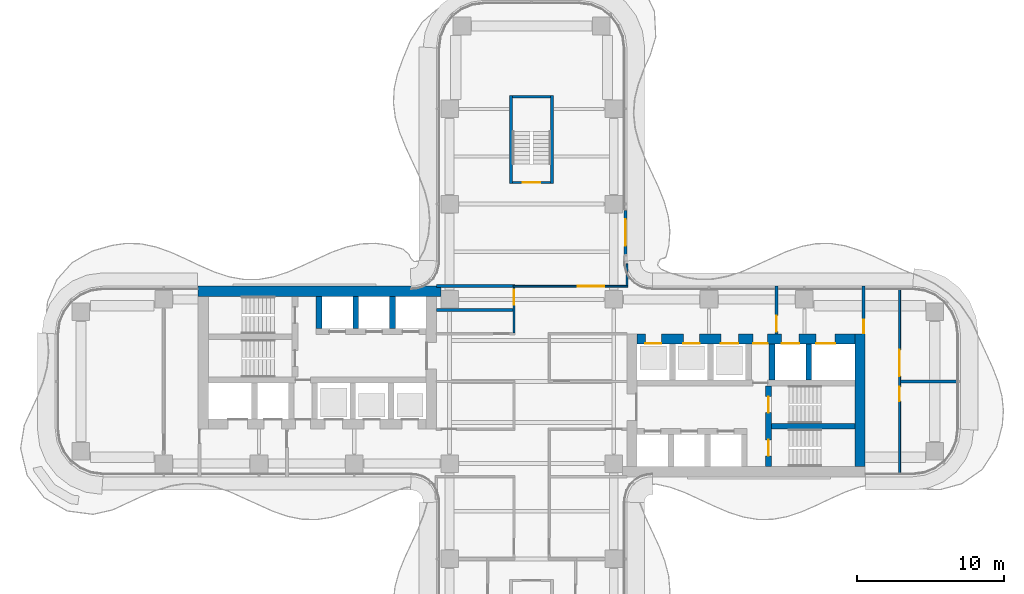
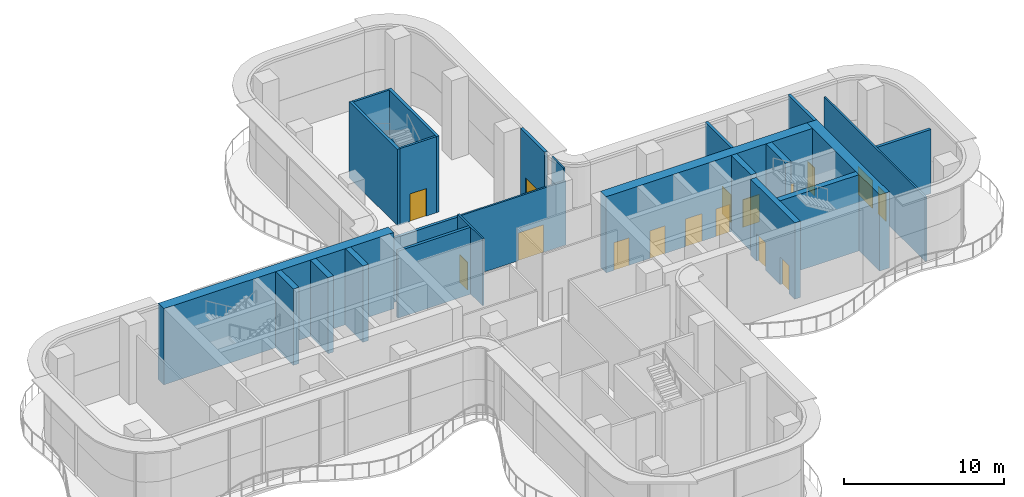
# One storey, part 14 of 19: 24 walls, 16 doors, 16 openings.
"""IFC4 building model written with IfcOpenShell, lengths in metres."""

from ifc_helpers import new_model, si_unit, direction, frame, frame_2d, origin, place, context, subcontext, project, spatial, rectangle, extrude, source, transform, mapped, material, layer, layer_set, type_object, element, fill, save


model = new_model("IFC4")

# Units and contexts
model_context = context("Model", 3, precision=1e-05, world=origin(), true_north=direction((0.0, 1.0)))
body_context = subcontext(model_context, "Body", "Model", "MODEL_VIEW")
ifc_project = project(units=[si_unit("LENGTHUNIT", "METRE"), si_unit("AREAUNIT", "SQUARE_METRE"), si_unit("VOLUMEUNIT", "CUBIC_METRE"), si_unit("PLANEANGLEUNIT", "RADIAN"), si_unit("MASSUNIT", "GRAM", prefix="KILO")], contexts=[model_context])

# Site, building, storey
site_placement = place(None, origin())
site = spatial("IfcSite", under=ifc_project, at=site_placement, CompositionType="ELEMENT")
building_placement = place(site_placement, origin())
building = spatial("IfcBuilding", under=site, at=building_placement, Name="Trellis Farm Tower", CompositionType="ELEMENT")
storey_placement = place(building_placement, frame((0.0, 0.0, 156.0)))
storey = spatial("IfcBuildingStorey", under=building, at=storey_placement, Name="L33", CompositionType="ELEMENT", Elevation=156.0)

# Walls
ifc_material_1 = material(Name="Lightweight blockwork, plastered", Category="masonry")
ifc_layer_1 = layer(ifc_material_1, 0.199951171875)
ifc_layer_set_1 = layer_set([ifc_layer_1], Name="BLOCK WALL 200 EI 120")
wall_type_1 = type_object("IfcWallType", Name="BLOCK WALL 200 EI 120", PredefinedType="PARTITIONING", material=ifc_layer_set_1)
wall_1_placement = place(storey_placement, frame((25.16259765625, 0.0, 0.0), z_axis=(0.0, 0.0, 1.0), x_axis=(1.0, 0.0, 0.0)))
element("IfcWall", 1, at=wall_1_placement, inside=storey, type_object=wall_type_1, Name="Partition PW3", PredefinedType="PARTITIONING", context=body_context, shape_type="SweptSolid", body=[
    extrude(rectangle(XDim=3.887451171875, YDim=0.199951171875, at=frame_2d((1.94384765625, 0.0))), origin(), (0.0, 0.0, 1.0), 4.8798828125),
])
wall_2_placement = place(storey_placement, frame((-6.5, 4.875, 0.0), z_axis=(0.0, 0.0, 1.0), x_axis=(1.0, 0.0, 0.0)))
element("IfcWall", 2, at=wall_2_placement, inside=storey, type_object=wall_type_1, Name="Partition PW3", PredefinedType="PARTITIONING", context=body_context, shape_type="SweptSolid", body=[
    extrude(rectangle(XDim=5.237548828125, YDim=0.199951171875, at=frame_2d((2.61865234375, 0.0))), origin(), (0.0, 0.0, 1.0), 5.0966796875),
])
wall_3_placement = place(storey_placement, frame((-6.5, 6.5, 0.0), z_axis=(0.0, 0.0, 1.0), x_axis=(1.0, 0.0, 0.0)))
element("IfcWall", 3, at=wall_3_placement, inside=storey, type_object=wall_type_1, Name="Partition PW3", PredefinedType="PARTITIONING", context=body_context, shape_type="SweptSolid", body=[
    extrude(rectangle(XDim=5.362548828125, YDim=0.199951171875, at=frame_2d((2.68115234375, 0.0))), origin(), (0.0, 0.0, 1.0), 4.8798828125),
])

# Wall, opening, door
ifc_material_2 = material(Name="Sandstone faced insulated wall", Category="masonry")
ifc_layer_2 = layer(ifc_material_2, 0.199951171875)
ifc_layer_set_2 = layer_set([ifc_layer_2], Name="EXTERNAL INFILL WALL 200")
wall_type_2 = type_object("IfcWallType", Name="EXTERNAL INFILL WALL 200", PredefinedType="SOLIDWALL", material=ifc_layer_set_2)
wall_4_placement = place(storey_placement, frame((6.39990234375, 8.665771484375, 0.0), z_axis=(0.0, 0.0, 1.0), x_axis=(0.0, 1.0, 0.0)))
wall_4 = element("IfcWall", 4, at=wall_4_placement, inside=storey, type_object=wall_type_2, Name="EW1 01", PredefinedType="SOLIDWALL", context=body_context, shape_type="SweptSolid", body=[
    extrude(rectangle(XDim=3.0, YDim=0.199951171875, at=frame_2d((1.5, 0.0))), origin(), (0.0, 0.0, 1.0), 5.800048828125),
])
shared_shape_1 = source(origin(), body_context, "Body", "SweptSolid", [
    extrude(rectangle(XDim=1.800048828125, YDim=2.39990234375, at=frame_2d((0.89990234375, 1.199951171875))), frame((0.0, 0.110107421875, 0.0), z_axis=(0.0, -1.0, 0.0), x_axis=(1.0, 0.0, 0.0)), (0.0, 0.0, 1.0), 0.22021484375),
])
opening_1_placement = place(wall_4_placement, frame((0.60009765625, 0.0, 0.0)))
opening_1 = element("IfcOpeningElement", 5, at=opening_1_placement, cuts=wall_4, Name="Opening ED1", PredefinedType="OPENING", context=body_context, shape_type="MappedRepresentation", body=[
    mapped(shared_shape_1, transform((0.0, 0.0, 0.0))),
])
ifc_material_3 = material(Name="Aluminium framed glazed door", Category="aluminium")
door_type_1 = type_object("IfcDoorType", Name="BALCONY DOOR 1800x2400", OperationType="DOUBLE_DOOR_SINGLE_SWING", PredefinedType="DOOR", material=ifc_material_3)
shared_shape_2 = source(origin(), body_context, "Body", "SweptSolid", [
    extrude(rectangle(XDim=1.800048828125, YDim=2.39990234375, at=frame_2d((0.89990234375, 1.199951171875))), frame((0.0, 0.02490234375, 0.0), z_axis=(0.0, -1.0, 0.0), x_axis=(1.0, 0.0, 0.0)), (0.0, 0.0, 1.0), 0.050048828125),
])
door_1_placement = place(opening_1_placement, origin())
door_1 = element("IfcDoor", 6, at=door_1_placement, inside=storey, type_object=door_type_1, Name="Balcony door", OperationType="DOUBLE_DOOR_SINGLE_SWING", OverallHeight=2.39990234375, OverallWidth=1.800048828125, PredefinedType="DOOR", context=body_context, shape_type="MappedRepresentation", body=[
    mapped(shared_shape_2, transform((0.0, 0.0, 0.0))),
])
fill(opening_1, door_1)

ifc_material_4 = material(Name="Plasterboard on steel studs, mineral wool", Category="steel")
ifc_layer_3 = layer(ifc_material_4, 0.125)
ifc_layer_set_3 = layer_set([ifc_layer_3], Name="PARTITION 125 STUD EI 60")
wall_type_3 = type_object("IfcWallType", Name="PARTITION 125 STUD EI 60", PredefinedType="PARTITIONING", material=ifc_layer_set_3)
wall_5_placement = place(storey_placement, frame((-1.199951171875, 6.39990234375, 0.0), z_axis=(0.0, 0.0, 1.0), x_axis=(0.0, -1.0, 0.0)))
wall_5 = element("IfcWall", 7, at=wall_5_placement, inside=storey, type_object=wall_type_3, Name="Partition PW1", PredefinedType="PARTITIONING", context=body_context, shape_type="SweptSolid", body=[
    extrude(rectangle(XDim=3.08740234375, YDim=0.125, at=frame_2d((1.543701171875, 0.0))), origin(), (0.0, 0.0, 1.0), 5.0966796875),
])
shared_shape_3 = source(origin(), body_context, "Body", "SweptSolid", [
    extrude(rectangle(XDim=1.0, YDim=2.10009765625, at=frame_2d((0.5, 1.050048828125))), frame((0.0, 0.072509765625, 0.0), z_axis=(0.0, -1.0, 0.0), x_axis=(1.0, 0.0, 0.0)), (0.0, 0.0, 1.0), 0.14501953125),
])
opening_2_placement = place(wall_5_placement, frame((0.14990234375, 0.0, 0.0)))
opening_2 = element("IfcOpeningElement", 8, at=opening_2_placement, cuts=wall_5, Name="Opening D309", PredefinedType="OPENING", context=body_context, shape_type="MappedRepresentation", body=[
    mapped(shared_shape_3, transform((0.0, 0.0, 0.0))),
])
ifc_material_5 = material(Name="Fire-rated timber door leaf in a hollow metal frame", Category="wood")
door_type_2 = type_object("IfcDoorType", Name="DOOR 1000x2100 FD60", OperationType="NOTDEFINED", PredefinedType="DOOR", material=ifc_material_5)
shared_shape_4 = source(origin(), body_context, "Body", "SweptSolid", [
    extrude(rectangle(XDim=1.0, YDim=2.10009765625, at=frame_2d((0.5, 1.050048828125))), frame((0.0, 0.02490234375, 0.0), z_axis=(0.0, -1.0, 0.0), x_axis=(1.0, 0.0, 0.0)), (0.0, 0.0, 1.0), 0.050048828125),
])
door_2_placement = place(opening_2_placement, origin())
door_2 = element("IfcDoor", 9, at=door_2_placement, inside=storey, type_object=door_type_2, Name="Door D309", OperationType="SINGLE_SWING_LEFT", OverallHeight=2.10009765625, OverallWidth=1.0, PredefinedType="DOOR", context=body_context, shape_type="MappedRepresentation", body=[
    mapped(shared_shape_4, transform((0.0, 0.0, 0.0))),
])
fill(opening_2, door_2)

# Wall, openings, doors
wall_6_placement = place(storey_placement, frame((25.10009765625, 6.300048828125, 0.0), z_axis=(0.0, 0.0, 1.0), x_axis=(0.0, -1.0, 0.0)))
wall_6 = element("IfcWall", 10, at=wall_6_placement, inside=storey, type_object=wall_type_3, Name="Partition PW1", PredefinedType="PARTITIONING", context=body_context, shape_type="SweptSolid", body=[
    extrude(rectangle(XDim=12.60009765625, YDim=0.125, at=frame_2d((6.300048828125, 0.0))), origin(), (0.0, 0.0, 1.0), 4.8798828125),
])
opening_3_placement = place(wall_6_placement, frame((6.64990234375, 0.0, 0.0)))
opening_3 = element("IfcOpeningElement", 11, at=opening_3_placement, cuts=wall_6, Name="Opening D307", PredefinedType="OPENING", context=body_context, shape_type="MappedRepresentation", body=[
    mapped(shared_shape_3, transform((0.0, 0.0, 0.0))),
])
shared_shape_5 = source(origin(), body_context, "Body", "SweptSolid", [
    extrude(rectangle(XDim=1.800048828125, YDim=2.10009765625, at=frame_2d((0.89990234375, 1.050048828125))), frame((0.0, 0.072509765625, 0.0), z_axis=(0.0, -1.0, 0.0), x_axis=(1.0, 0.0, 0.0)), (0.0, 0.0, 1.0), 0.14501953125),
])
opening_4_placement = place(wall_6_placement, frame((4.14990234375, 0.0, 0.0)))
opening_4 = element("IfcOpeningElement", 12, at=opening_4_placement, cuts=wall_6, Name="Opening D201", PredefinedType="OPENING", context=body_context, shape_type="MappedRepresentation", body=[
    mapped(shared_shape_5, transform((0.0, 0.0, 0.0))),
])
door_3_placement = place(opening_3_placement, origin())
door_3 = element("IfcDoor", 13, at=door_3_placement, inside=storey, type_object=door_type_2, Name="Door D307", OperationType="SINGLE_SWING_LEFT", OverallHeight=2.10009765625, OverallWidth=1.0, PredefinedType="DOOR", context=body_context, shape_type="MappedRepresentation", body=[
    mapped(shared_shape_4, transform((0.0, 0.0, 0.0))),
])
fill(opening_3, door_3)
door_type_3 = type_object("IfcDoorType", Name="DOOR PAIR 1800x2100 FD30S", OperationType="NOTDEFINED", PredefinedType="DOOR", material=ifc_material_5)
shared_shape_6 = source(origin(), body_context, "Body", "SweptSolid", [
    extrude(rectangle(XDim=1.800048828125, YDim=2.10009765625, at=frame_2d((0.89990234375, 1.050048828125))), frame((0.0, 0.02490234375, 0.0), z_axis=(0.0, -1.0, 0.0), x_axis=(1.0, 0.0, 0.0)), (0.0, 0.0, 1.0), 0.050048828125),
])
door_4_placement = place(opening_4_placement, origin())
door_4 = element("IfcDoor", 14, at=door_4_placement, inside=storey, type_object=door_type_3, Name="Door D201", OperationType="DOUBLE_DOOR_SINGLE_SWING", OverallHeight=2.10009765625, OverallWidth=1.800048828125, PredefinedType="DOOR", context=body_context, shape_type="MappedRepresentation", body=[
    mapped(shared_shape_6, transform((0.0, 0.0, 0.0))),
])
fill(opening_4, door_4)

# Wall, opening, door
wall_7_placement = place(storey_placement, frame((-1.262451171875, 6.5, 0.0), z_axis=(0.0, 0.0, 1.0), x_axis=(1.0, 0.0, 0.0)))
wall_7 = element("IfcWall", 15, at=wall_7_placement, inside=storey, type_object=wall_type_3, Name="Partition PW1", PredefinedType="PARTITIONING", context=body_context, shape_type="SweptSolid", body=[
    extrude(rectangle(XDim=7.824951171875, YDim=0.125, at=frame_2d((3.91259765625, 0.0))), origin(), (0.0, 0.0, 1.0), 4.8798828125),
])
opening_5_placement = place(wall_7_placement, frame((4.41259765625, 0.0, 0.0)))
opening_5 = element("IfcOpeningElement", 16, at=opening_5_placement, cuts=wall_7, Name="Opening D202", PredefinedType="OPENING", context=body_context, shape_type="MappedRepresentation", body=[
    mapped(shared_shape_5, transform((0.0, 0.0, 0.0))),
])
door_5_placement = place(opening_5_placement, origin())
door_5 = element("IfcDoor", 17, at=door_5_placement, inside=storey, type_object=door_type_3, Name="Door D202", OperationType="DOUBLE_DOOR_SINGLE_SWING", OverallHeight=2.10009765625, OverallWidth=1.800048828125, PredefinedType="DOOR", context=body_context, shape_type="MappedRepresentation", body=[
    mapped(shared_shape_6, transform((0.0, 0.0, 0.0))),
])
fill(opening_5, door_5)

# Walls
ifc_material_6 = material(Name="Concrete C70/85", Category="concrete")
ifc_layer_4 = layer(ifc_material_6, 0.699951171875)
ifc_layer_set_4 = layer_set([ifc_layer_4], Name="CORE OUTER WALL 700 CONCRETE C70/85")
wall_type_4 = type_object("IfcWallType", Name="CORE OUTER WALL 700 CONCRETE C70/85", PredefinedType="SHEAR", material=ifc_layer_set_4)
shared_shape_7 = source(origin(), body_context, "Body", "SweptSolid", [
    extrude(rectangle(XDim=9.050048828125, YDim=0.699951171875, at=frame_2d((4.52490234375, 0.0))), origin(), (0.0, 0.0, 1.0), 5.800048828125),
])
wall_8_placement = place(storey_placement, frame((22.39990234375, -5.800048828125, 0.0), z_axis=(0.0, 0.0, 1.0), x_axis=(0.0, 1.0, 0.0)))
element("IfcWall", 18, at=wall_8_placement, inside=storey, type_object=wall_type_4, Name="Core wall", PredefinedType="SHEAR", context=body_context, shape_type="MappedRepresentation", body=[
    mapped(shared_shape_7, transform((0.0, 0.0, 0.0))),
])
ifc_layer_5 = layer(ifc_material_6, 0.39990234375)
ifc_layer_set_5 = layer_set([ifc_layer_5], Name="CORE INNER WALL 400 CONCRETE C70/85")
wall_type_5 = type_object("IfcWallType", Name="CORE INNER WALL 400 CONCRETE C70/85", PredefinedType="SHEAR", material=ifc_layer_set_5)
shared_shape_8 = source(origin(), body_context, "Body", "SweptSolid", [
    extrude(rectangle(XDim=2.199951171875, YDim=0.39990234375, at=frame_2d((1.10009765625, 0.0))), origin(), (0.0, 0.0, 1.0), 5.800048828125),
])
for number, where, z_axis, x_axis, name in (
    (19, (-9.5, 5.800048828125, 0.0), (0.0, 0.0, 1.0), (0.0, -1.0, 0.0), "Core wall"),
    (20, (-12.0, 5.800048828125, 0.0), (0.0, 0.0, 1.0), (0.0, -1.0, 0.0), "Core wall"),
    (21, (-14.5, 5.800048828125, 0.0), (0.0, 0.0, 1.0), (0.0, -1.0, 0.0), "Core wall"),
):
    element("IfcWall", number, at=place(storey_placement, frame(where, z_axis=z_axis, x_axis=x_axis)), inside=storey, type_object=wall_type_5, Name=name, PredefinedType="SHEAR", context=body_context, shape_type="MappedRepresentation", body=[
        mapped(shared_shape_8, transform((0.0, 0.0, 0.0))),
    ])
shared_shape_9 = source(origin(), body_context, "Body", "SweptSolid", [
    extrude(rectangle(XDim=2.449951171875, YDim=0.39990234375, at=frame_2d((1.22509765625, 0.0))), origin(), (0.0, 0.0, 1.0), 5.800048828125),
])
for number, where, z_axis, x_axis, name in (
    (22, (16.39990234375, 0.10009765625, 0.0), (0.0, 0.0, 1.0), (0.0, 1.0, 0.0), "Core wall"),
    (23, (18.89990234375, 0.10009765625, 0.0), (0.0, 0.0, 1.0), (0.0, 1.0, 0.0), "Core wall"),
):
    element("IfcWall", number, at=place(storey_placement, frame(where, z_axis=z_axis, x_axis=x_axis)), inside=storey, type_object=wall_type_5, Name=name, PredefinedType="SHEAR", context=body_context, shape_type="MappedRepresentation", body=[
        mapped(shared_shape_9, transform((0.0, 0.0, 0.0))),
    ])

# Wall, opening, door
ifc_material_7 = material(Name="Masonry blockwork", Category="masonry")
ifc_layer_6 = layer(ifc_material_7, 0.199951171875)
ifc_layer_set_6 = layer_set([ifc_layer_6], Name="FIRE LOBBY PARTITION 200 BLOCKWORK")
wall_type_6 = type_object("IfcWallType", Name="FIRE LOBBY PARTITION 200 BLOCKWORK", PredefinedType="PARTITIONING", material=ifc_layer_set_6)
shared_shape_10 = source(origin(), body_context, "Body", "SweptSolid", [
    extrude(rectangle(XDim=3.25, YDim=0.199951171875, at=frame_2d((1.625, 0.0))), origin(), (0.0, 0.0, 1.0), 5.800048828125),
])
wall_9_placement = place(storey_placement, frame((16.699951171875, 3.25, 0.0), z_axis=(0.0, 0.0, 1.0), x_axis=(0.0, 1.0, 0.0)))
wall_9 = element("IfcWall", 24, at=wall_9_placement, inside=storey, type_object=wall_type_6, Name="Fire-fighting lobby partition", PredefinedType="PARTITIONING", context=body_context, shape_type="MappedRepresentation", body=[
    mapped(shared_shape_10, transform((0.0, 0.0, 0.0))),
])
shared_shape_11 = source(origin(), body_context, "Body", "SweptSolid", [
    extrude(rectangle(XDim=1.10009765625, YDim=2.10009765625, at=frame_2d((0.550048828125, 1.050048828125))), frame((0.0, 0.110107421875, 0.0), z_axis=(0.0, -1.0, 0.0), x_axis=(1.0, 0.0, 0.0)), (0.0, 0.0, 1.0), 0.22021484375),
])
opening_6_placement = place(wall_9_placement, frame((0.14990234375, 0.0, 0.0)))
opening_6 = element("IfcOpeningElement", 25, at=opening_6_placement, cuts=wall_9, Name="Opening DC7", PredefinedType="OPENING", context=body_context, shape_type="MappedRepresentation", body=[
    mapped(shared_shape_11, transform((0.0, 0.0, 0.0))),
])
ifc_material_8 = material(Name="Steel", Category="steel")
door_type_4 = type_object("IfcDoorType", Name="CORE FIRE DOOR 1100 X 2100", OperationType="NOTDEFINED", PredefinedType="DOOR", material=ifc_material_8)
shared_shape_12 = source(origin(), body_context, "Body", "SweptSolid", [
    extrude(rectangle(XDim=1.10009765625, YDim=2.10009765625, at=frame_2d((0.550048828125, 1.050048828125))), frame((0.0, 0.02490234375, 0.0), z_axis=(0.0, -1.0, 0.0), x_axis=(1.0, 0.0, 0.0)), (0.0, 0.0, 1.0), 0.050048828125),
])
door_6_placement = place(opening_6_placement, origin())
door_6 = element("IfcDoor", 26, at=door_6_placement, inside=storey, type_object=door_type_4, Name="Core door", OperationType="SINGLE_SWING_RIGHT", OverallHeight=2.10009765625, OverallWidth=1.10009765625, PredefinedType="DOOR", context=body_context, shape_type="MappedRepresentation", body=[
    mapped(shared_shape_12, transform((0.0, 0.0, 0.0))),
])
fill(opening_6, door_6)

wall_10_placement = place(storey_placement, frame((22.64990234375, 3.25, 0.0), z_axis=(0.0, 0.0, 1.0), x_axis=(0.0, 1.0, 0.0)))
wall_10 = element("IfcWall", 27, at=wall_10_placement, inside=storey, type_object=wall_type_6, Name="Fire-fighting lobby partition", PredefinedType="PARTITIONING", context=body_context, shape_type="MappedRepresentation", body=[
    mapped(shared_shape_10, transform((0.0, 0.0, 0.0))),
])
shared_shape_13 = source(origin(), body_context, "Body", "SweptSolid", [
    extrude(rectangle(XDim=0.89990234375, YDim=2.10009765625, at=frame_2d((0.449951171875, 1.050048828125))), frame((0.0, 0.110107421875, 0.0), z_axis=(0.0, -1.0, 0.0), x_axis=(1.0, 0.0, 0.0)), (0.0, 0.0, 1.0), 0.22021484375),
])
opening_7_placement = place(wall_10_placement, frame((0.050048828125, 0.0, 0.0)))
opening_7 = element("IfcOpeningElement", 28, at=opening_7_placement, cuts=wall_10, Name="Opening DC8", PredefinedType="OPENING", context=body_context, shape_type="MappedRepresentation", body=[
    mapped(shared_shape_13, transform((0.0, 0.0, 0.0))),
])
door_type_5 = type_object("IfcDoorType", Name="CORE FIRE DOOR 900 X 2100", OperationType="NOTDEFINED", PredefinedType="DOOR", material=ifc_material_8)
shared_shape_14 = source(origin(), body_context, "Body", "SweptSolid", [
    extrude(rectangle(XDim=0.89990234375, YDim=2.10009765625, at=frame_2d((0.449951171875, 1.050048828125))), frame((0.0, 0.02490234375, 0.0), z_axis=(0.0, -1.0, 0.0), x_axis=(1.0, 0.0, 0.0)), (0.0, 0.0, 1.0), 0.050048828125),
])
door_7_placement = place(opening_7_placement, origin())
door_7 = element("IfcDoor", 29, at=door_7_placement, inside=storey, type_object=door_type_5, Name="Core door", OperationType="SINGLE_SWING_RIGHT", OverallHeight=2.10009765625, OverallWidth=0.89990234375, PredefinedType="DOOR", context=body_context, shape_type="MappedRepresentation", body=[
    mapped(shared_shape_14, transform((0.0, 0.0, 0.0))),
])
fill(opening_7, door_7)

# Wall
shared_shape_15 = source(origin(), body_context, "Body", "SweptSolid", [
    extrude(rectangle(XDim=16.550048828125, YDim=0.699951171875, at=frame_2d((8.27490234375, 0.0))), origin(), (0.0, 0.0, 1.0), 5.800048828125),
])
wall_11_placement = place(storey_placement, frame((-6.199951171875, 6.14990234375, 0.0), z_axis=(0.0, 0.0, 1.0), x_axis=(-1.0, 0.0, 0.0)))
element("IfcWall", 30, at=wall_11_placement, inside=storey, type_object=wall_type_4, Name="Core wall", PredefinedType="SHEAR", context=body_context, shape_type="MappedRepresentation", body=[
    mapped(shared_shape_15, transform((0.0, 0.0, 0.0))),
])

# Wall, openings, doors
shared_shape_16 = source(origin(), body_context, "Body", "SweptSolid", [
    extrude(rectangle(XDim=14.85009765625, YDim=0.699951171875, at=frame_2d((7.425048828125, 0.0))), origin(), (0.0, 0.0, 1.0), 5.800048828125),
])
wall_12_placement = place(storey_placement, frame((7.199951171875, 2.89990234375, 0.0), z_axis=(0.0, 0.0, 1.0), x_axis=(1.0, 0.0, 0.0)))
wall_12 = element("IfcWall", 31, at=wall_12_placement, inside=storey, type_object=wall_type_4, Name="Core wall", PredefinedType="SHEAR", context=body_context, shape_type="MappedRepresentation", body=[
    mapped(shared_shape_16, transform((0.0, 0.0, 0.0))),
])
shared_shape_17 = source(origin(), body_context, "Body", "SweptSolid", [
    extrude(rectangle(XDim=1.10009765625, YDim=2.10009765625, at=frame_2d((0.550048828125, 1.050048828125))), frame((0.0, 0.360107421875, 0.0), z_axis=(0.0, -1.0, 0.0), x_axis=(1.0, 0.0, 0.0)), (0.0, 0.0, 1.0), 0.72021484375),
])
opening_8_placement = place(wall_12_placement, frame((0.550048828125, 0.0, 0.0)))
opening_8 = element("IfcOpeningElement", 32, at=opening_8_placement, cuts=wall_12, Name="Opening LD4", PredefinedType="OPENING", context=body_context, shape_type="MappedRepresentation", body=[
    mapped(shared_shape_17, transform((0.0, 0.0, 0.0))),
])
opening_9_placement = place(wall_12_placement, frame((3.14990234375, 0.0, 0.0)))
opening_9 = element("IfcOpeningElement", 33, at=opening_9_placement, cuts=wall_12, Name="Opening LD5", PredefinedType="OPENING", context=body_context, shape_type="MappedRepresentation", body=[
    mapped(shared_shape_17, transform((0.0, 0.0, 0.0))),
])
shared_shape_18 = source(origin(), body_context, "Body", "SweptSolid", [
    extrude(rectangle(XDim=1.199951171875, YDim=2.10009765625, at=frame_2d((0.60009765625, 1.050048828125))), frame((0.0, 0.360107421875, 0.0), z_axis=(0.0, -1.0, 0.0), x_axis=(1.0, 0.0, 0.0)), (0.0, 0.0, 1.0), 0.72021484375),
])
opening_10_placement = place(wall_12_placement, frame((5.699951171875, 0.0, 0.0)))
opening_10 = element("IfcOpeningElement", 34, at=opening_10_placement, cuts=wall_12, Name="Opening LD6", PredefinedType="OPENING", context=body_context, shape_type="MappedRepresentation", body=[
    mapped(shared_shape_18, transform((0.0, 0.0, 0.0))),
])
shared_shape_19 = source(origin(), body_context, "Body", "SweptSolid", [
    extrude(rectangle(XDim=1.300048828125, YDim=2.10009765625, at=frame_2d((0.64990234375, 1.050048828125))), frame((0.0, 0.360107421875, 0.0), z_axis=(0.0, -1.0, 0.0), x_axis=(1.0, 0.0, 0.0)), (0.0, 0.0, 1.0), 0.72021484375),
])
opening_11_placement = place(wall_12_placement, frame((12.199951171875, 0.0, 0.0)))
opening_11 = element("IfcOpeningElement", 35, at=opening_11_placement, cuts=wall_12, Name="Opening LD7", PredefinedType="OPENING", context=body_context, shape_type="MappedRepresentation", body=[
    mapped(shared_shape_19, transform((0.0, 0.0, 0.0))),
])
opening_12_placement = place(wall_12_placement, frame((9.85009765625, 0.0, 0.0)))
opening_12 = element("IfcOpeningElement", 36, at=opening_12_placement, cuts=wall_12, Name="Opening LD8", PredefinedType="OPENING", context=body_context, shape_type="MappedRepresentation", body=[
    mapped(shared_shape_18, transform((0.0, 0.0, 0.0))),
])
shared_shape_20 = source(origin(), body_context, "Body", "SweptSolid", [
    extrude(rectangle(XDim=1.0, YDim=2.10009765625, at=frame_2d((0.5, 1.050048828125))), frame((0.0, 0.360107421875, 0.0), z_axis=(0.0, -1.0, 0.0), x_axis=(1.0, 0.0, 0.0)), (0.0, 0.0, 1.0), 0.72021484375),
])
opening_13_placement = place(wall_12_placement, frame((7.89990234375, 0.0, 0.0)))
opening_13 = element("IfcOpeningElement", 37, at=opening_13_placement, cuts=wall_12, Name="Opening DC6", PredefinedType="OPENING", context=body_context, shape_type="MappedRepresentation", body=[
    mapped(shared_shape_20, transform((0.0, 0.0, 0.0))),
])
door_type_6 = type_object("IfcDoorType", Name="CORE FIRE DOOR 1000 X 2100", OperationType="NOTDEFINED", PredefinedType="DOOR", material=ifc_material_8)
shared_shape_21 = source(origin(), body_context, "Body", "SweptSolid", [
    extrude(rectangle(XDim=1.0, YDim=2.10009765625, at=frame_2d((0.5, 1.050048828125))), frame((0.0, -0.27490234375, 0.0), z_axis=(0.0, -1.0, 0.0), x_axis=(1.0, 0.0, 0.0)), (0.0, 0.0, 1.0), 0.050048828125),
])
door_8_placement = place(opening_13_placement, origin())
door_8 = element("IfcDoor", 38, at=door_8_placement, inside=storey, type_object=door_type_6, Name="Core door", OperationType="SINGLE_SWING_LEFT", OverallHeight=2.10009765625, OverallWidth=1.0, PredefinedType="DOOR", context=body_context, shape_type="MappedRepresentation", body=[
    mapped(shared_shape_21, transform((0.0, 0.0, 0.0))),
])
fill(opening_13, door_8)
ifc_material_9 = material(Name="Stainless steel", Category="steel")
door_type_7 = type_object("IfcDoorType", Name="LIFT LANDING DOOR 1300 X 2100", OperationType="DOUBLE_DOOR_SLIDING", PredefinedType="DOOR", material=ifc_material_9)
shared_shape_22 = source(origin(), body_context, "Body", "SweptSolid", [
    extrude(rectangle(XDim=1.300048828125, YDim=2.10009765625, at=frame_2d((0.64990234375, 1.050048828125))), frame((0.0, -0.27490234375, 0.0), z_axis=(0.0, -1.0, 0.0), x_axis=(1.0, 0.0, 0.0)), (0.0, 0.0, 1.0), 0.050048828125),
])
door_9_placement = place(opening_11_placement, origin())
door_9 = element("IfcDoor", 39, at=door_9_placement, inside=storey, type_object=door_type_7, Name="Lift landing door", OperationType="DOUBLE_DOOR_SLIDING", OverallHeight=2.10009765625, OverallWidth=1.300048828125, PredefinedType="DOOR", context=body_context, shape_type="MappedRepresentation", body=[
    mapped(shared_shape_22, transform((0.0, 0.0, 0.0))),
])
fill(opening_11, door_9)
door_type_8 = type_object("IfcDoorType", Name="LIFT LANDING DOOR 1200 X 2100", OperationType="DOUBLE_DOOR_SLIDING", PredefinedType="DOOR", material=ifc_material_9)
shared_shape_23 = source(origin(), body_context, "Body", "SweptSolid", [
    extrude(rectangle(XDim=1.199951171875, YDim=2.10009765625, at=frame_2d((0.60009765625, 1.050048828125))), frame((0.0, -0.27490234375, 0.0), z_axis=(0.0, -1.0, 0.0), x_axis=(1.0, 0.0, 0.0)), (0.0, 0.0, 1.0), 0.050048828125),
])
door_10_placement = place(opening_10_placement, origin())
door_10 = element("IfcDoor", 40, at=door_10_placement, inside=storey, type_object=door_type_8, Name="Lift landing door", OperationType="DOUBLE_DOOR_SLIDING", OverallHeight=2.10009765625, OverallWidth=1.199951171875, PredefinedType="DOOR", context=body_context, shape_type="MappedRepresentation", body=[
    mapped(shared_shape_23, transform((0.0, 0.0, 0.0))),
])
fill(opening_10, door_10)
door_11_placement = place(opening_12_placement, origin())
door_11 = element("IfcDoor", 41, at=door_11_placement, inside=storey, type_object=door_type_8, Name="Lift landing door", OperationType="DOUBLE_DOOR_SLIDING", OverallHeight=2.10009765625, OverallWidth=1.199951171875, PredefinedType="DOOR", context=body_context, shape_type="MappedRepresentation", body=[
    mapped(shared_shape_23, transform((0.0, 0.0, 0.0))),
])
fill(opening_12, door_11)
door_type_9 = type_object("IfcDoorType", Name="LIFT LANDING DOOR 1100 X 2100", OperationType="DOUBLE_DOOR_SLIDING", PredefinedType="DOOR", material=ifc_material_9)
shared_shape_24 = source(origin(), body_context, "Body", "SweptSolid", [
    extrude(rectangle(XDim=1.10009765625, YDim=2.10009765625, at=frame_2d((0.550048828125, 1.050048828125))), frame((0.0, -0.27490234375, 0.0), z_axis=(0.0, -1.0, 0.0), x_axis=(1.0, 0.0, 0.0)), (0.0, 0.0, 1.0), 0.050048828125),
])
door_12_placement = place(opening_8_placement, origin())
door_12 = element("IfcDoor", 42, at=door_12_placement, inside=storey, type_object=door_type_9, Name="Lift landing door", OperationType="DOUBLE_DOOR_SLIDING", OverallHeight=2.10009765625, OverallWidth=1.10009765625, PredefinedType="DOOR", context=body_context, shape_type="MappedRepresentation", body=[
    mapped(shared_shape_24, transform((0.0, 0.0, 0.0))),
])
fill(opening_8, door_12)
door_13_placement = place(opening_9_placement, origin())
door_13 = element("IfcDoor", 43, at=door_13_placement, inside=storey, type_object=door_type_9, Name="Lift landing door", OperationType="DOUBLE_DOOR_SLIDING", OverallHeight=2.10009765625, OverallWidth=1.10009765625, PredefinedType="DOOR", context=body_context, shape_type="MappedRepresentation", body=[
    mapped(shared_shape_24, transform((0.0, 0.0, 0.0))),
])
fill(opening_9, door_13)

shared_shape_25 = source(origin(), body_context, "Body", "SweptSolid", [
    extrude(rectangle(XDim=5.5, YDim=0.39990234375, at=frame_2d((2.75, 0.0))), origin(), (0.0, 0.0, 1.0), 5.800048828125),
])
wall_13_placement = place(storey_placement, frame((16.14990234375, -5.800048828125, 0.0), z_axis=(0.0, 0.0, 1.0), x_axis=(0.0, 1.0, 0.0)))
wall_13 = element("IfcWall", 44, at=wall_13_placement, inside=storey, type_object=wall_type_5, Name="Core wall", PredefinedType="SHEAR", context=body_context, shape_type="MappedRepresentation", body=[
    mapped(shared_shape_25, transform((0.0, 0.0, 0.0))),
])
shared_shape_26 = source(origin(), body_context, "Body", "SweptSolid", [
    extrude(rectangle(XDim=1.10009765625, YDim=2.10009765625, at=frame_2d((0.550048828125, 1.050048828125))), frame((0.0, 0.2099609375, 0.0), z_axis=(0.0, -1.0, 0.0), x_axis=(1.0, 0.0, 0.0)), (0.0, 0.0, 1.0), 0.419921875),
])
opening_14_placement = place(wall_13_placement, frame((0.72509765625, 0.0, 0.0)))
opening_14 = element("IfcOpeningElement", 45, at=opening_14_placement, cuts=wall_13, Name="Opening DC2", PredefinedType="OPENING", context=body_context, shape_type="MappedRepresentation", body=[
    mapped(shared_shape_26, transform((0.0, 0.0, 0.0))),
])
opening_15_placement = place(wall_13_placement, frame((3.675048828125, 0.0, 0.0)))
opening_15 = element("IfcOpeningElement", 46, at=opening_15_placement, cuts=wall_13, Name="Opening DC3", PredefinedType="OPENING", context=body_context, shape_type="MappedRepresentation", body=[
    mapped(shared_shape_26, transform((0.0, 0.0, 0.0))),
])
door_14_placement = place(opening_14_placement, origin())
door_14 = element("IfcDoor", 47, at=door_14_placement, inside=storey, type_object=door_type_4, Name="Core door", OperationType="SINGLE_SWING_RIGHT", OverallHeight=2.10009765625, OverallWidth=1.10009765625, PredefinedType="DOOR", context=body_context, shape_type="MappedRepresentation", body=[
    mapped(shared_shape_12, transform((0.0, 0.0, 0.0))),
])
fill(opening_14, door_14)
door_15_placement = place(opening_15_placement, origin())
door_15 = element("IfcDoor", 48, at=door_15_placement, inside=storey, type_object=door_type_4, Name="Core door", OperationType="SINGLE_SWING_LEFT", OverallHeight=2.10009765625, OverallWidth=1.10009765625, PredefinedType="DOOR", context=body_context, shape_type="MappedRepresentation", body=[
    mapped(shared_shape_12, transform((0.0, 0.0, 0.0))),
])
fill(opening_15, door_15)

# Walls
shared_shape_27 = source(origin(), body_context, "Body", "SweptSolid", [
    extrude(rectangle(XDim=5.699951171875, YDim=0.39990234375, at=frame_2d((2.85009765625, 0.0))), origin(), (0.0, 0.0, 1.0), 5.800048828125),
])
wall_14_placement = place(storey_placement, frame((16.35009765625, -3.050048828125, 0.0), z_axis=(0.0, 0.0, 1.0), x_axis=(1.0, 0.0, 0.0)))
element("IfcWall", 49, at=wall_14_placement, inside=storey, type_object=wall_type_5, Name="Core wall", PredefinedType="SHEAR", context=body_context, shape_type="MappedRepresentation", body=[
    mapped(shared_shape_27, transform((0.0, 0.0, 0.0))),
])
ifc_layer_7 = layer(ifc_material_6, 0.199951171875)
ifc_layer_set_7 = layer_set([ifc_layer_7], Name="CORE STAIR ENCLOSURE WALL 200 CONCRETE C70/85")
wall_type_7 = type_object("IfcWallType", Name="CORE STAIR ENCLOSURE WALL 200 CONCRETE C70/85", PredefinedType="SHEAR", material=ifc_layer_set_7)
shared_shape_28 = source(origin(), body_context, "Body", "SweptSolid", [
    extrude(rectangle(XDim=6.0, YDim=0.199951171875, at=frame_2d((3.0, 0.0))), origin(), (0.0, 0.0, 1.0), 5.800048828125),
])
for number, where, z_axis, x_axis, name in (
    (50, (-1.39990234375, 13.5, 0.0), (0.0, 0.0, 1.0), (0.0, 1.0, 0.0), "Stair enclosure wall"),
    (51, (1.39990234375, 13.5, 0.0), (0.0, 0.0, 1.0), (0.0, 1.0, 0.0), "Stair enclosure wall"),
):
    element("IfcWall", number, at=place(storey_placement, frame(where, z_axis=z_axis, x_axis=x_axis)), inside=storey, type_object=wall_type_7, Name=name, PredefinedType="SHEAR", context=body_context, shape_type="MappedRepresentation", body=[
        mapped(shared_shape_28, transform((0.0, 0.0, 0.0))),
    ])

# Wall, opening, door
ifc_layer_8 = layer(ifc_material_6, 0.14990234375)
ifc_layer_set_8 = layer_set([ifc_layer_8], Name="CORE STAIR ENCLOSURE WALL 150 CONCRETE C70/85")
wall_type_8 = type_object("IfcWallType", Name="CORE STAIR ENCLOSURE WALL 150 CONCRETE C70/85", PredefinedType="SHEAR", material=ifc_layer_set_8)
shared_shape_29 = source(origin(), body_context, "Body", "SweptSolid", [
    extrude(rectangle(XDim=2.60009765625, YDim=0.14990234375, at=frame_2d((1.300048828125, 0.0))), origin(), (0.0, 0.0, 1.0), 5.800048828125),
])
wall_15_placement = place(storey_placement, frame((-1.300048828125, 13.574951171875, 0.0), z_axis=(0.0, 0.0, 1.0), x_axis=(1.0, 0.0, 0.0)))
wall_15 = element("IfcWall", 52, at=wall_15_placement, inside=storey, type_object=wall_type_8, Name="Stair enclosure wall", PredefinedType="SHEAR", context=body_context, shape_type="MappedRepresentation", body=[
    mapped(shared_shape_29, transform((0.0, 0.0, 0.0))),
])
shared_shape_30 = source(origin(), body_context, "Body", "SweptSolid", [
    extrude(rectangle(XDim=1.199951171875, YDim=2.10009765625, at=frame_2d((0.60009765625, 1.050048828125))), frame((0.0, 0.0849609375, 0.0), z_axis=(0.0, -1.0, 0.0), x_axis=(1.0, 0.0, 0.0)), (0.0, 0.0, 1.0), 0.169921875),
])
opening_16_placement = place(wall_15_placement, frame((0.699951171875, 0.0, 0.0)))
opening_16 = element("IfcOpeningElement", 53, at=opening_16_placement, cuts=wall_15, Name="Opening DC173", PredefinedType="OPENING", context=body_context, shape_type="MappedRepresentation", body=[
    mapped(shared_shape_30, transform((0.0, 0.0, 0.0))),
])
door_type_10 = type_object("IfcDoorType", Name="CORE FIRE DOOR 1200 X 2100", OperationType="NOTDEFINED", PredefinedType="DOOR", material=ifc_material_8)
shared_shape_31 = source(origin(), body_context, "Body", "SweptSolid", [
    extrude(rectangle(XDim=1.199951171875, YDim=2.10009765625, at=frame_2d((0.60009765625, 1.050048828125))), frame((0.0, 0.02490234375, 0.0), z_axis=(0.0, -1.0, 0.0), x_axis=(1.0, 0.0, 0.0)), (0.0, 0.0, 1.0), 0.050048828125),
])
door_16_placement = place(opening_16_placement, origin())
door_16 = element("IfcDoor", 54, at=door_16_placement, inside=storey, type_object=door_type_10, Name="Core door", OperationType="SINGLE_SWING_LEFT", OverallHeight=2.10009765625, OverallWidth=1.199951171875, PredefinedType="DOOR", context=body_context, shape_type="MappedRepresentation", body=[
    mapped(shared_shape_31, transform((0.0, 0.0, 0.0))),
])
fill(opening_16, door_16)

# Walls
wall_16_placement = place(storey_placement, frame((-1.300048828125, 19.425048828125, 0.0), z_axis=(0.0, 0.0, 1.0), x_axis=(1.0, 0.0, 0.0)))
element("IfcWall", 55, at=wall_16_placement, inside=storey, type_object=wall_type_8, Name="Stair enclosure wall", PredefinedType="SHEAR", context=body_context, shape_type="MappedRepresentation", body=[
    mapped(shared_shape_29, transform((0.0, 0.0, 0.0))),
])
shared_shape_32 = source(origin(), body_context, "Body", "SweptSolid", [
    extrude(rectangle(XDim=1.468994140625, YDim=0.125, at=frame_2d((0.734375, 0.0))), origin(), (0.0, 0.0, 1.0), 5.800048828125),
])
wall_17_placement = place(storey_placement, frame((6.5, 6.5625, 0.0), z_axis=(0.0, 0.0, 1.0), x_axis=(0.0, 1.0, 0.0)))
element("IfcWall", 56, at=wall_17_placement, inside=storey, type_object=wall_type_3, Name="Partition PW1", PredefinedType="PARTITIONING", context=body_context, shape_type="MappedRepresentation", body=[
    mapped(shared_shape_32, transform((0.0, 0.0, 0.0))),
])

save(model, "model.ifc")
